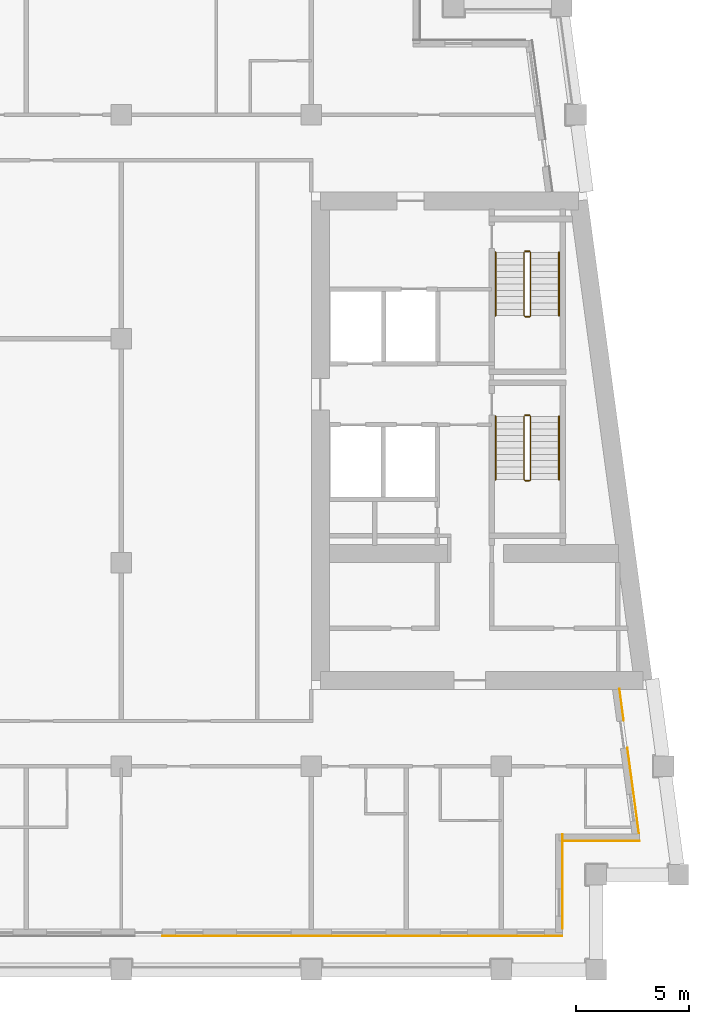
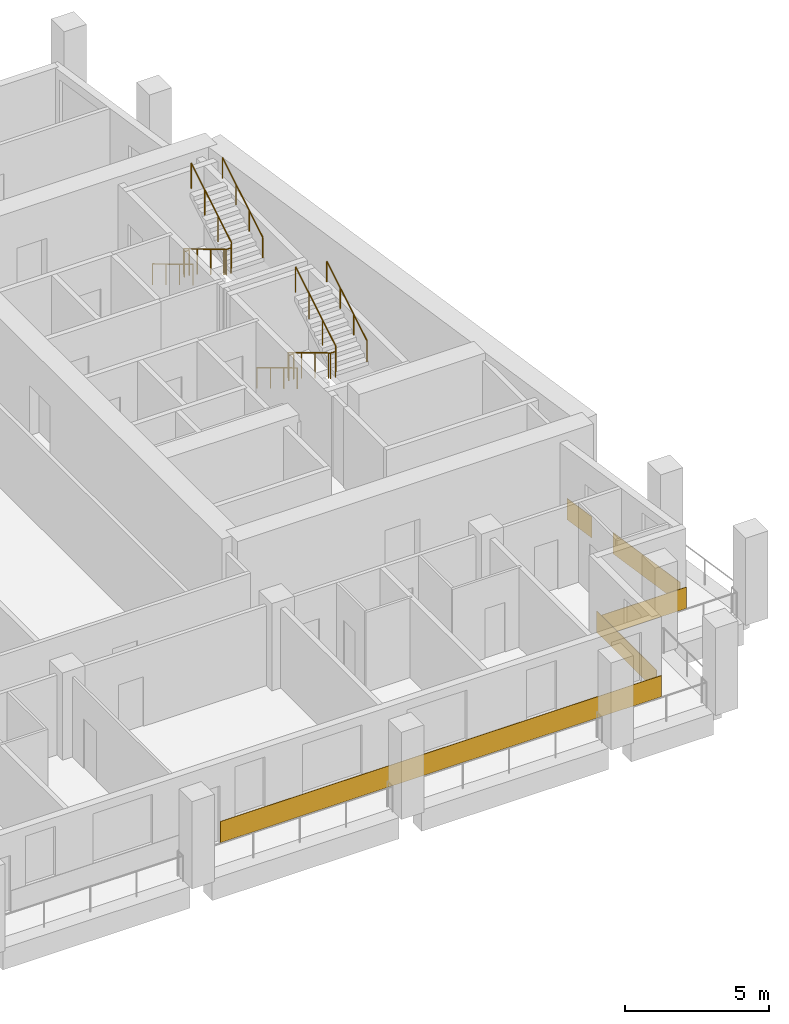
# One storey, part 10 of 12: 8 railings, 5 coverings.
"""IFC4 building model written with IfcOpenShell, lengths in metres."""

from ifc_helpers import new_model, si_unit, direction, frame, origin, origin_2d, place, context, subcontext, project, spatial, rectangle, circle, extrude, material, layer, layer_set, type_object, element, save


model = new_model("IFC4")

# Units and contexts
model_context = context("Model", 3, precision=1e-05, world=origin(), true_north=direction((0.0, 1.0)))
body_context = subcontext(model_context, "Body", "Model", "MODEL_VIEW")
ifc_project = project(units=[si_unit("LENGTHUNIT", "METRE"), si_unit("AREAUNIT", "SQUARE_METRE"), si_unit("VOLUMEUNIT", "CUBIC_METRE"), si_unit("PLANEANGLEUNIT", "RADIAN"), si_unit("MASSUNIT", "GRAM", prefix="KILO")], contexts=[model_context])

# Site, building, storey
site_placement = place(None, origin())
site = spatial("IfcSite", under=ifc_project, at=site_placement, CompositionType="ELEMENT")
building_placement = place(site_placement, origin())
building = spatial("IfcBuilding", under=site, at=building_placement, Name="Candeia Pilgrim Tower and Theatre", CompositionType="ELEMENT")
storey_placement = place(building_placement, frame((0.0, 0.0, 231.800048828125)))
storey = spatial("IfcBuildingStorey", under=building, at=storey_placement, Name="L56", CompositionType="ELEMENT", Elevation=231.800048828125)

# Coverings
ifc_material_1 = material(Name="Glazed ceramic tile bottle green")
ifc_layer_1 = layer(ifc_material_1, 0.02001953125)
ifc_layer_set_1 = layer_set([ifc_layer_1], Name="Glazed ceramic tile bottle green")
covering_type_1 = type_object("IfcCoveringType", Name="Glazed ceramic tile bottle green", PredefinedType="CLADDING", material=ifc_layer_set_1)
covering_1_placement = place(storey_placement, frame((128.25, 99.489990234375, 0.0), z_axis=(0.0, 0.0, 1.0), x_axis=(1.0, 0.0, 0.0)))
element("IfcCovering", 1, at=covering_1_placement, inside=storey, type_object=covering_type_1, Name="Tile cladding bottle green L56", PredefinedType="CLADDING", context=body_context, shape_type="SweptSolid", body=[
    extrude(rectangle(XDim=17.699951171875, YDim=0.02001953125, at=origin_2d()), origin(), (0.0, 0.0, 1.0), 0.89990234375),
])
covering_2_placement = place(storey_placement, frame((138.819580078125, 103.68994140625, 0.0), z_axis=(0.0, 0.0, 1.0), x_axis=(1.0, 0.0, 0.0)))
element("IfcCovering", 2, at=covering_2_placement, inside=storey, type_object=covering_type_1, Name="Tile cladding bottle green L56", PredefinedType="CLADDING", context=body_context, shape_type="SweptSolid", body=[
    extrude(rectangle(XDim=3.399169921875, YDim=0.02001953125, at=origin_2d()), origin(), (0.0, 0.0, 1.0), 0.89990234375),
])
ifc_material_2 = material(Name="Glazed ceramic tile rust")
ifc_layer_2 = layer(ifc_material_2, 0.02001953125)
ifc_layer_set_2 = layer_set([ifc_layer_2], Name="Glazed ceramic tile rust")
covering_type_2 = type_object("IfcCoveringType", Name="Glazed ceramic tile rust", PredefinedType="CLADDING", material=ifc_layer_set_2)
covering_3_placement = place(storey_placement, frame((137.110107421875, 101.909912109375, 0.0), z_axis=(0.0, 0.0, 1.0), x_axis=(0.0, 1.0, 0.0)))
element("IfcCovering", 3, at=covering_3_placement, inside=storey, type_object=covering_type_2, Name="Tile cladding rust L56", PredefinedType="CLADDING", context=body_context, shape_type="SweptSolid", body=[
    extrude(rectangle(XDim=4.179931640625, YDim=0.02001953125, at=origin_2d()), origin(), (0.0, 0.0, 1.0), 0.89990234375),
])
covering_4_placement = place(storey_placement, frame((140.228515625, 105.933349609375, 0.0), z_axis=(0.0, 0.0, 1.0), x_axis=(-0.133412012145, 0.991060661622, 0.0)))
element("IfcCovering", 4, at=covering_4_placement, inside=storey, type_object=covering_type_2, Name="Tile cladding rust L56", PredefinedType="CLADDING", context=body_context, shape_type="SweptSolid", body=[
    extrude(rectangle(XDim=3.821044921875, YDim=0.02001953125, at=origin_2d()), origin(), (0.0, 0.0, 1.0), 0.89990234375),
])
covering_5_placement = place(storey_placement, frame((139.718994140625, 109.71875, 0.0), z_axis=(0.0, 0.0, 1.0), x_axis=(-0.133412012145, 0.991060661622, 0.0)))
element("IfcCovering", 5, at=covering_5_placement, inside=storey, type_object=covering_type_2, Name="Tile cladding rust L56", PredefinedType="CLADDING", context=body_context, shape_type="SweptSolid", body=[
    extrude(rectangle(XDim=1.41796875, YDim=0.02001953125, at=origin_2d()), origin(), (0.0, 0.0, 1.0), 0.89990234375),
])

# Railings
ifc_material_3 = material(Name="Stainless steel balustrade", Category="steel")
railing_type_1 = type_object("IfcRailingType", Name="RL-GUARD-1100", PredefinedType="GUARDRAIL", material=ifc_material_3)
railing_1_placement = place(storey_placement, frame((135.39794921875, 122.47509765625, 0.168212890625)))
element("IfcRailing", 6, at=railing_1_placement, inside=storey, type_object=railing_type_1, Name="L56 ST3 stair guard 1", PredefinedType="GUARDRAIL", context=body_context, shape_type="SweptSolid", body=[
    extrude(circle(Radius=0.02392578125, at=origin_2d()), frame((0.0, 0.0, 1.076171875), z_axis=(0.0, -0.857275202839, 0.514858452973), x_axis=(1.0, 0.0, 0.0)), (0.0, 0.0, 1.0), 3.26611328125),
    extrude(circle(Radius=0.02392578125, at=origin_2d()), frame((0.0, -2.800048828125, 2.7578125), z_axis=(0.707106781187, -0.707106781187, 0.0), x_axis=(0.707106781187, 0.707106781187, 0.0)), (0.0, 0.0, 1.0), 0.07080078125),
    extrude(circle(Radius=0.02392578125, at=origin_2d()), frame((0.050048828125, -2.85009765625, 2.7578125), z_axis=(1.0, 0.0, 0.0), x_axis=(0.0, 1.0, 0.0)), (0.0, 0.0, 1.0), 0.199951171875),
    extrude(circle(Radius=0.02392578125, at=origin_2d()), frame((0.25, -2.85009765625, 2.7578125), z_axis=(0.274243871929, 0.274243871929, 0.92172696468), x_axis=(-0.707106781187, 0.707106781187, 0.0)), (0.0, 0.0, 1.0), 0.1826171875),
    extrude(circle(Radius=0.02392578125, at=origin_2d()), frame((0.300048828125, -2.800048828125, 2.92578125), z_axis=(0.0, 0.857242210791, 0.514913383045), x_axis=(-1.0, 0.0, 0.0)), (0.0, 0.0, 1.0), 3.266357421875),
    extrude(circle(Radius=0.02099609375, at=origin_2d()), origin(), (0.0, 0.0, 1.0), 1.052001953125),
    extrude(circle(Radius=0.02099609375, at=origin_2d()), frame((0.0, -0.933349609375, 0.560546875)), (0.0, 0.0, 1.0), 1.052001953125),
    extrude(circle(Radius=0.02099609375, at=origin_2d()), frame((0.0, -1.86669921875, 1.12109375)), (0.0, 0.0, 1.0), 1.052001953125),
    extrude(circle(Radius=0.02099609375, at=origin_2d()), frame((0.0, -2.800048828125, 1.681640625)), (0.0, 0.0, 1.0), 1.052001953125),
    extrude(circle(Radius=0.02099609375, at=origin_2d()), frame((0.050048828125, -2.85009765625, 1.681640625)), (0.0, 0.0, 1.0), 1.052001953125),
    extrude(circle(Radius=0.02099609375, at=origin_2d()), frame((0.25, -2.85009765625, 1.681640625)), (0.0, 0.0, 1.0), 1.052001953125),
    extrude(circle(Radius=0.02099609375, at=origin_2d()), frame((0.300048828125, -2.800048828125, 1.849853515625)), (0.0, 0.0, 1.0), 1.052001953125),
    extrude(circle(Radius=0.02099609375, at=origin_2d()), frame((0.300048828125, -1.86669921875, 2.410400390625)), (0.0, 0.0, 1.0), 1.052001953125),
    extrude(circle(Radius=0.02099609375, at=origin_2d()), frame((0.300048828125, -0.933349609375, 2.97119140625)), (0.0, 0.0, 1.0), 1.052001953125),
    extrude(circle(Radius=0.02099609375, at=origin_2d()), frame((0.300048828125, 0.0, 3.53173828125)), (0.0, 0.0, 1.0), 1.052001953125),
])
railing_2_placement = place(storey_placement, frame((135.447998046875, 122.52490234375, 0.0)))
element("IfcRailing", 7, at=railing_2_placement, inside=storey, type_object=railing_type_1, Name="L56 ST3 stair guard 2", PredefinedType="GUARDRAIL", context=body_context, shape_type="SweptSolid", body=[
    extrude(circle(Radius=0.02392578125, at=origin_2d()), frame((0.0, 0.0, 1.076171875), z_axis=(1.0, 0.0, 0.0), x_axis=(0.0, 1.0, 0.0)), (0.0, 0.0, 1.0), 0.199951171875),
    extrude(circle(Radius=0.02099609375, at=origin_2d()), origin(), (0.0, 0.0, 1.0), 1.052001953125),
    extrude(circle(Radius=0.02099609375, at=origin_2d()), frame((0.199951171875, 0.0, 0.0)), (0.0, 0.0, 1.0), 1.052001953125),
])
railing_3_placement = place(storey_placement, frame((135.39794921875, 129.72509765625, 0.168212890625)))
element("IfcRailing", 8, at=railing_3_placement, inside=storey, type_object=railing_type_1, Name="L56 ST4 stair guard 1", PredefinedType="GUARDRAIL", context=body_context, shape_type="SweptSolid", body=[
    extrude(circle(Radius=0.02392578125, at=origin_2d()), frame((0.0, 0.0, 1.076171875), z_axis=(0.0, -0.857275202839, 0.514858452973), x_axis=(1.0, 0.0, 0.0)), (0.0, 0.0, 1.0), 3.26611328125),
    extrude(circle(Radius=0.02392578125, at=origin_2d()), frame((0.0, -2.800048828125, 2.7578125), z_axis=(0.707106781187, -0.707106781187, 0.0), x_axis=(0.707106781187, 0.707106781187, 0.0)), (0.0, 0.0, 1.0), 0.07080078125),
    extrude(circle(Radius=0.02392578125, at=origin_2d()), frame((0.050048828125, -2.85009765625, 2.7578125), z_axis=(1.0, 0.0, 0.0), x_axis=(0.0, 1.0, 0.0)), (0.0, 0.0, 1.0), 0.199951171875),
    extrude(circle(Radius=0.02392578125, at=origin_2d()), frame((0.25, -2.85009765625, 2.7578125), z_axis=(0.274243871929, 0.274243871929, 0.92172696468), x_axis=(-0.707106781187, 0.707106781187, 0.0)), (0.0, 0.0, 1.0), 0.1826171875),
    extrude(circle(Radius=0.02392578125, at=origin_2d()), frame((0.300048828125, -2.800048828125, 2.92578125), z_axis=(0.0, 0.857242210791, 0.514913383045), x_axis=(-1.0, 0.0, 0.0)), (0.0, 0.0, 1.0), 3.266357421875),
    extrude(circle(Radius=0.02099609375, at=origin_2d()), origin(), (0.0, 0.0, 1.0), 1.052001953125),
    extrude(circle(Radius=0.02099609375, at=origin_2d()), frame((0.0, -0.933349609375, 0.560546875)), (0.0, 0.0, 1.0), 1.052001953125),
    extrude(circle(Radius=0.02099609375, at=origin_2d()), frame((0.0, -1.86669921875, 1.12109375)), (0.0, 0.0, 1.0), 1.052001953125),
    extrude(circle(Radius=0.02099609375, at=origin_2d()), frame((0.0, -2.800048828125, 1.681640625)), (0.0, 0.0, 1.0), 1.052001953125),
    extrude(circle(Radius=0.02099609375, at=origin_2d()), frame((0.050048828125, -2.85009765625, 1.681640625)), (0.0, 0.0, 1.0), 1.052001953125),
    extrude(circle(Radius=0.02099609375, at=origin_2d()), frame((0.25, -2.85009765625, 1.681640625)), (0.0, 0.0, 1.0), 1.052001953125),
    extrude(circle(Radius=0.02099609375, at=origin_2d()), frame((0.300048828125, -2.800048828125, 1.849853515625)), (0.0, 0.0, 1.0), 1.052001953125),
    extrude(circle(Radius=0.02099609375, at=origin_2d()), frame((0.300048828125, -1.86669921875, 2.410400390625)), (0.0, 0.0, 1.0), 1.052001953125),
    extrude(circle(Radius=0.02099609375, at=origin_2d()), frame((0.300048828125, -0.933349609375, 2.97119140625)), (0.0, 0.0, 1.0), 1.052001953125),
    extrude(circle(Radius=0.02099609375, at=origin_2d()), frame((0.300048828125, 0.0, 3.53173828125)), (0.0, 0.0, 1.0), 1.052001953125),
])
railing_4_placement = place(storey_placement, frame((135.447998046875, 129.77490234375, 0.0)))
element("IfcRailing", 9, at=railing_4_placement, inside=storey, type_object=railing_type_1, Name="L56 ST4 stair guard 2", PredefinedType="GUARDRAIL", context=body_context, shape_type="SweptSolid", body=[
    extrude(circle(Radius=0.02392578125, at=origin_2d()), frame((0.0, 0.0, 1.076171875), z_axis=(1.0, 0.0, 0.0), x_axis=(0.0, 1.0, 0.0)), (0.0, 0.0, 1.0), 0.199951171875),
    extrude(circle(Radius=0.02099609375, at=origin_2d()), origin(), (0.0, 0.0, 1.0), 1.052001953125),
    extrude(circle(Radius=0.02099609375, at=origin_2d()), frame((0.199951171875, 0.0, 0.0)), (0.0, 0.0, 1.0), 1.052001953125),
])
ifc_material_4 = material(Name="Stainless steel handrail", Category="steel")
railing_type_2 = type_object("IfcRailingType", Name="RL-HANDRAIL-900", PredefinedType="HANDRAIL", material=ifc_material_4)
railing_5_placement = place(storey_placement, frame((134.14794921875, 122.47509765625, 0.168212890625)))
element("IfcRailing", 10, at=railing_5_placement, inside=storey, type_object=railing_type_2, Name="L56 ST3 stair handrail 1", PredefinedType="HANDRAIL", context=body_context, shape_type="SweptSolid", body=[
    extrude(circle(Radius=0.02392578125, at=origin_2d()), frame((0.0, 0.0, 0.8759765625), z_axis=(0.0, -0.857275202839, 0.514858452973), x_axis=(1.0, 0.0, 0.0)), (0.0, 0.0, 1.0), 3.26611328125),
    extrude(circle(Radius=0.02099609375, at=origin_2d()), origin(), (0.0, 0.0, 1.0), 0.851806640625),
    extrude(circle(Radius=0.02099609375, at=origin_2d()), frame((0.0, -0.933349609375, 0.560546875)), (0.0, 0.0, 1.0), 0.851806640625),
    extrude(circle(Radius=0.02099609375, at=origin_2d()), frame((0.0, -1.86669921875, 1.12109375)), (0.0, 0.0, 1.0), 0.851806640625),
    extrude(circle(Radius=0.02099609375, at=origin_2d()), frame((0.0, -2.800048828125, 1.681640625)), (0.0, 0.0, 1.0), 0.851806640625),
])
railing_6_placement = place(storey_placement, frame((136.947998046875, 119.675048828125, 2.01806640625)))
element("IfcRailing", 11, at=railing_6_placement, inside=storey, type_object=railing_type_2, Name="L56 ST3 stair handrail 2", PredefinedType="HANDRAIL", context=body_context, shape_type="SweptSolid", body=[
    extrude(circle(Radius=0.02392578125, at=origin_2d()), frame((0.0, 0.0, 0.8759765625), z_axis=(0.0, 0.857242210791, 0.514913383045), x_axis=(-1.0, 0.0, 0.0)), (0.0, 0.0, 1.0), 3.266357421875),
    extrude(circle(Radius=0.02099609375, at=origin_2d()), origin(), (0.0, 0.0, 1.0), 0.851806640625),
    extrude(circle(Radius=0.02099609375, at=origin_2d()), frame((0.0, 0.933349609375, 0.560546875)), (0.0, 0.0, 1.0), 0.851806640625),
    extrude(circle(Radius=0.02099609375, at=origin_2d()), frame((0.0, 1.86669921875, 1.121337890625)), (0.0, 0.0, 1.0), 0.851806640625),
    extrude(circle(Radius=0.02099609375, at=origin_2d()), frame((0.0, 2.800048828125, 1.681884765625)), (0.0, 0.0, 1.0), 0.851806640625),
])
railing_7_placement = place(storey_placement, frame((134.14794921875, 129.72509765625, 0.168212890625)))
element("IfcRailing", 12, at=railing_7_placement, inside=storey, type_object=railing_type_2, Name="L56 ST4 stair handrail 1", PredefinedType="HANDRAIL", context=body_context, shape_type="SweptSolid", body=[
    extrude(circle(Radius=0.02392578125, at=origin_2d()), frame((0.0, 0.0, 0.8759765625), z_axis=(0.0, -0.857275202839, 0.514858452973), x_axis=(1.0, 0.0, 0.0)), (0.0, 0.0, 1.0), 3.26611328125),
    extrude(circle(Radius=0.02099609375, at=origin_2d()), origin(), (0.0, 0.0, 1.0), 0.851806640625),
    extrude(circle(Radius=0.02099609375, at=origin_2d()), frame((0.0, -0.933349609375, 0.560546875)), (0.0, 0.0, 1.0), 0.851806640625),
    extrude(circle(Radius=0.02099609375, at=origin_2d()), frame((0.0, -1.86669921875, 1.12109375)), (0.0, 0.0, 1.0), 0.851806640625),
    extrude(circle(Radius=0.02099609375, at=origin_2d()), frame((0.0, -2.800048828125, 1.681640625)), (0.0, 0.0, 1.0), 0.851806640625),
])
railing_8_placement = place(storey_placement, frame((136.947998046875, 126.925048828125, 2.01806640625)))
element("IfcRailing", 13, at=railing_8_placement, inside=storey, type_object=railing_type_2, Name="L56 ST4 stair handrail 2", PredefinedType="HANDRAIL", context=body_context, shape_type="SweptSolid", body=[
    extrude(circle(Radius=0.02392578125, at=origin_2d()), frame((0.0, 0.0, 0.8759765625), z_axis=(0.0, 0.857242210791, 0.514913383045), x_axis=(-1.0, 0.0, 0.0)), (0.0, 0.0, 1.0), 3.266357421875),
    extrude(circle(Radius=0.02099609375, at=origin_2d()), origin(), (0.0, 0.0, 1.0), 0.851806640625),
    extrude(circle(Radius=0.02099609375, at=origin_2d()), frame((0.0, 0.933349609375, 0.560546875)), (0.0, 0.0, 1.0), 0.851806640625),
    extrude(circle(Radius=0.02099609375, at=origin_2d()), frame((0.0, 1.86669921875, 1.121337890625)), (0.0, 0.0, 1.0), 0.851806640625),
    extrude(circle(Radius=0.02099609375, at=origin_2d()), frame((0.0, 2.800048828125, 1.681884765625)), (0.0, 0.0, 1.0), 0.851806640625),
])

save(model, "model.ifc")
